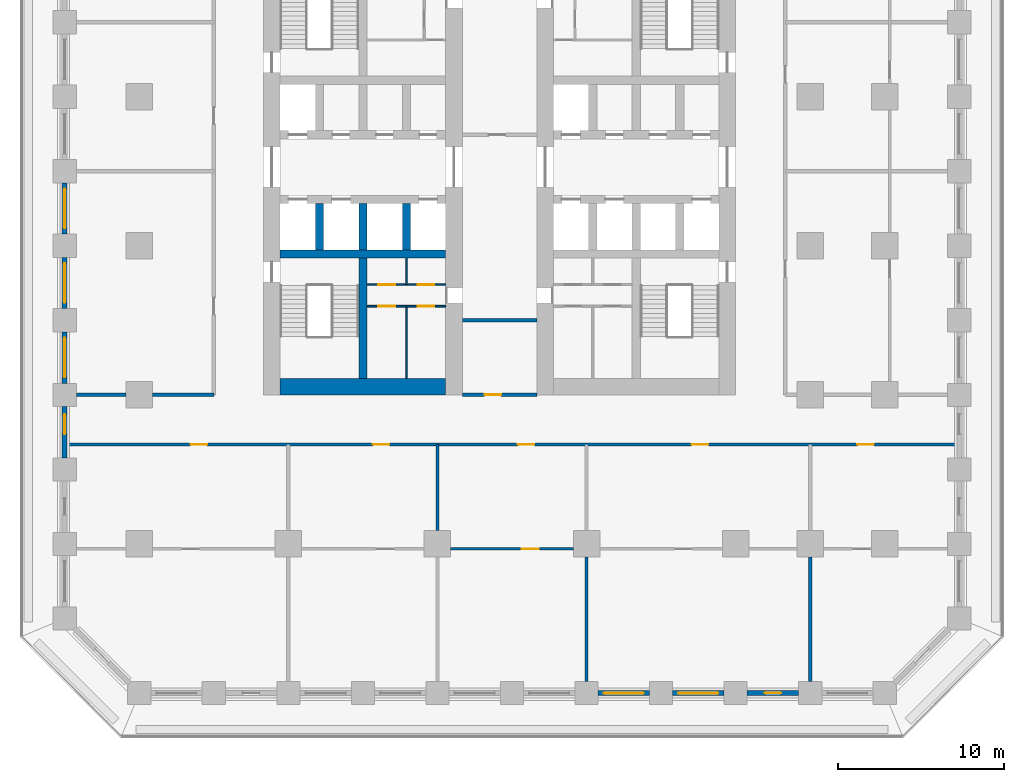
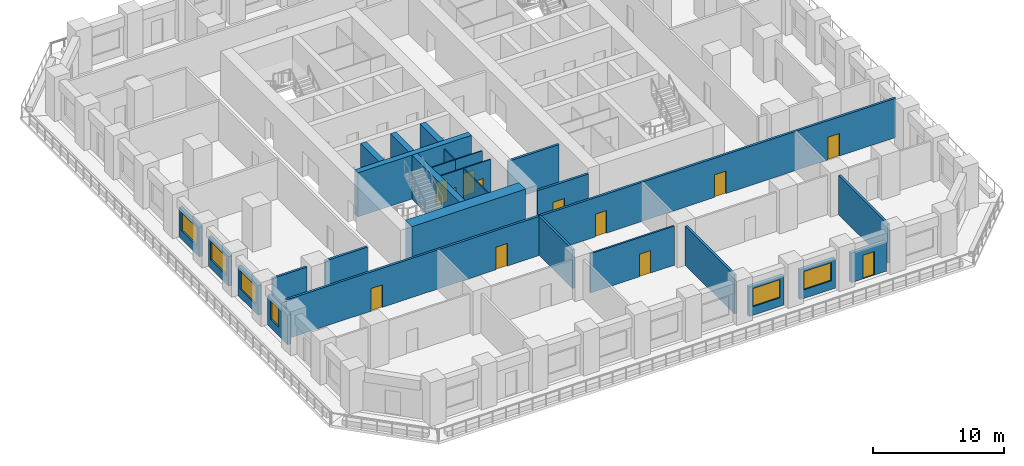
# One storey, part 3 of 11: 28 walls, 12 doors, 6 windows, 18 openings.
"""IFC4 building model written with IfcOpenShell, lengths in metres."""

from ifc_helpers import new_model, si_unit, direction, frame, frame_2d, origin, place, context, subcontext, project, spatial, rectangle, extrude, material, layer, layer_set, type_object, element, fill, save


model = new_model("IFC4")

# Units and contexts
model_context = context("Model", 3, precision=1e-05, world=origin(), true_north=direction((0.0, 1.0)))
body_context = subcontext(model_context, "Body", "Model", "MODEL_VIEW")
ifc_project = project(units=[si_unit("LENGTHUNIT", "METRE"), si_unit("AREAUNIT", "SQUARE_METRE"), si_unit("VOLUMEUNIT", "CUBIC_METRE"), si_unit("PLANEANGLEUNIT", "RADIAN"), si_unit("MASSUNIT", "GRAM", prefix="KILO")], contexts=[model_context])

# Site, building, storey
site_placement = place(None, origin())
site = spatial("IfcSite", under=ifc_project, at=site_placement, CompositionType="ELEMENT")
building_placement = place(site_placement, origin())
building = spatial("IfcBuilding", under=site, at=building_placement, Name="Corbel Stack Research Tower", CompositionType="ELEMENT")
storey_placement = place(building_placement, frame((0.0, 0.0, 62.39990234375)))
storey = spatial("IfcBuildingStorey", under=building, at=storey_placement, Name="L14", CompositionType="ELEMENT", Elevation=62.39990234375)

# Walls
ifc_material_1 = material(Name="Concrete C70/85", Category="concrete")
ifc_layer_1 = layer(ifc_material_1, 1.0)
ifc_layer_set_1 = layer_set([ifc_layer_1], Name="Concrete C70/85")
wall_type_1 = type_object("IfcWallType", Name="CW-1000-70", PredefinedType="SHEAR", material=ifc_layer_set_1)
wall_1_placement = place(storey_placement, frame((-9.5, -8.5, 0.0), z_axis=(0.0, 0.0, 1.0), x_axis=(1.0, 0.0, 0.0)))
element("IfcWall", 1, at=wall_1_placement, inside=storey, type_object=wall_type_1, Name="West core wall, south end L14", PredefinedType="SHEAR", context=body_context, shape_type="SweptSolid", body=[
    extrude(rectangle(XDim=10.0, YDim=1.0, at=frame_2d((5.0, 0.0))), origin(), (0.0, 0.0, 1.0), 4.10009765625),
])
ifc_material_2 = material(Name="Concrete C70/85", Category="concrete")
ifc_layer_2 = layer(ifc_material_2, 0.5)
ifc_layer_set_2 = layer_set([ifc_layer_2], Name="Concrete C70/85")
wall_type_2 = type_object("IfcWallType", Name="CW-500-70", PredefinedType="SHEAR", material=ifc_layer_set_2)
wall_2_placement = place(storey_placement, frame((-9.5, -0.5, 0.0), z_axis=(0.0, 0.0, 1.0), x_axis=(1.0, 0.0, 0.0)))
element("IfcWall", 2, at=wall_2_placement, inside=storey, type_object=wall_type_2, Name="West core wall, south row back L14", PredefinedType="SHEAR", context=body_context, shape_type="SweptSolid", body=[
    extrude(rectangle(XDim=10.0, YDim=0.5, at=frame_2d((5.0, 0.0))), origin(), (0.0, 0.0, 1.0), 4.10009765625),
])
for number, where, z_axis, x_axis, name in (
    (3, (-7.125, -0.25, 0.0), (0.0, 0.0, 1.0), (0.0, 1.0, 0.0), "West core wall, south shaft 1 L14"),
    (4, (-4.5, -0.25, 0.0), (0.0, 0.0, 1.0), (0.0, 1.0, 0.0), "West core wall, south shaft 2 L14"),
    (5, (-1.875, -0.25, 0.0), (0.0, 0.0, 1.0), (0.0, 1.0, 0.0), "West core wall, south shaft 3 L14"),
):
    element("IfcWall", number, at=place(storey_placement, frame(where, z_axis=z_axis, x_axis=x_axis)), inside=storey, type_object=wall_type_2, Name=name, PredefinedType="SHEAR", context=body_context, shape_type="SweptSolid", body=[
        extrude(rectangle(XDim=2.800048828125, YDim=0.5, at=frame_2d((1.39990234375, 0.0))), origin(), (0.0, 0.0, 1.0), 4.10009765625),
    ])
wall_3_placement = place(storey_placement, frame((-4.5, -8.0, 0.0), z_axis=(0.0, 0.0, 1.0), x_axis=(0.0, 1.0, 0.0)))
element("IfcWall", 6, at=wall_3_placement, inside=storey, type_object=wall_type_2, Name="West core wall, south stair and WC L14", PredefinedType="SHEAR", context=body_context, shape_type="SweptSolid", body=[
    extrude(rectangle(XDim=7.25, YDim=0.5, at=frame_2d((3.625, 0.0))), origin(), (0.0, 0.0, 1.0), 4.10009765625),
])

# Wall, opening, door
ifc_material_3 = material(Name="Gypsum board")
ifc_layer_3 = layer(ifc_material_3, 0.10009765625)
ifc_layer_set_3 = layer_set([ifc_layer_3], Name="Gypsum board")
wall_type_3 = type_object("IfcWallType", Name="Core partition 100", PredefinedType="PARTITIONING", material=ifc_layer_set_3)
wall_4_placement = place(storey_placement, frame((-1.875, -3.64990234375, 0.0), z_axis=(0.0, 0.0, 1.0), x_axis=(1.0, 0.0, 0.0)))
wall_4 = element("IfcWall", 7, at=wall_4_placement, inside=storey, type_object=wall_type_3, Name="Core partition W", PredefinedType="PARTITIONING", context=body_context, shape_type="SweptSolid", body=[
    extrude(rectangle(XDim=2.375, YDim=0.10009765625, at=frame_2d((1.1875, 0.0))), origin(), (0.0, 0.0, 1.0), 3.650146484375),
])
opening_1_placement = place(wall_4_placement, frame((0.6875, 0.0, 0.0)))
opening_1 = element("IfcOpeningElement", 8, at=opening_1_placement, cuts=wall_4, Name="Opening CR-W54-W2-1000", PredefinedType="OPENING", context=body_context, shape_type="SweptSolid", body=[
    extrude(rectangle(XDim=1.0, YDim=2.10009765625, at=frame_2d((0.5, 1.050048828125))), frame((0.0, 0.06005859375, 0.0), z_axis=(0.0, -1.0, 0.0), x_axis=(1.0, 0.0, 0.0)), (0.0, 0.0, 1.0), 0.1201171875),
])
ifc_material_4 = material(Name="Painted timber door", Category="wood")
door_type_1 = type_object("IfcDoorType", Name="WC door 1000 x 2100 right hand", OperationType="SINGLE_SWING_RIGHT", PredefinedType="DOOR", material=ifc_material_4)
door_1_placement = place(opening_1_placement, origin())
door_1 = element("IfcDoor", 9, at=door_1_placement, inside=storey, type_object=door_type_1, Name="Women's WC door W core", OperationType="SINGLE_SWING_RIGHT", OverallHeight=2.10009765625, OverallWidth=1.0, PredefinedType="DOOR", context=body_context, shape_type="SweptSolid", body=[
    extrude(rectangle(XDim=1.0, YDim=2.10009765625, at=frame_2d((0.5, 1.050048828125))), frame((0.0, 0.02490234375, 0.0), z_axis=(0.0, -1.0, 0.0), x_axis=(1.0, 0.0, 0.0)), (0.0, 0.0, 1.0), 0.050048828125),
])
fill(opening_1, door_1)

wall_5_placement = place(storey_placement, frame((-4.25, -3.64990234375, 0.0), z_axis=(0.0, 0.0, 1.0), x_axis=(1.0, 0.0, 0.0)))
wall_5 = element("IfcWall", 10, at=wall_5_placement, inside=storey, type_object=wall_type_3, Name="Core partition W", PredefinedType="PARTITIONING", context=body_context, shape_type="SweptSolid", body=[
    extrude(rectangle(XDim=2.375, YDim=0.10009765625, at=frame_2d((1.1875, 0.0))), origin(), (0.0, 0.0, 1.0), 3.650146484375),
])
opening_2_placement = place(wall_5_placement, frame((0.6875, 0.0, 0.0)))
opening_2 = element("IfcOpeningElement", 11, at=opening_2_placement, cuts=wall_5, Name="Opening CR-W54-W3-1000", PredefinedType="OPENING", context=body_context, shape_type="SweptSolid", body=[
    extrude(rectangle(XDim=1.0, YDim=2.10009765625, at=frame_2d((0.5, 1.050048828125))), frame((0.0, 0.06005859375, 0.0), z_axis=(0.0, -1.0, 0.0), x_axis=(1.0, 0.0, 0.0)), (0.0, 0.0, 1.0), 0.1201171875),
])
ifc_material_5 = material(Name="Painted timber door", Category="wood")
door_type_2 = type_object("IfcDoorType", Name="WC door 1000 x 2100 left hand", OperationType="SINGLE_SWING_LEFT", PredefinedType="DOOR", material=ifc_material_5)
door_2_placement = place(opening_2_placement, origin())
door_2 = element("IfcDoor", 12, at=door_2_placement, inside=storey, type_object=door_type_2, Name="Men's WC door W core", OperationType="SINGLE_SWING_LEFT", OverallHeight=2.10009765625, OverallWidth=1.0, PredefinedType="DOOR", context=body_context, shape_type="SweptSolid", body=[
    extrude(rectangle(XDim=1.0, YDim=2.10009765625, at=frame_2d((0.5, 1.050048828125))), frame((0.0, 0.02490234375, 0.0), z_axis=(0.0, -1.0, 0.0), x_axis=(1.0, 0.0, 0.0)), (0.0, 0.0, 1.0), 0.050048828125),
])
fill(opening_2, door_2)

wall_6_placement = place(storey_placement, frame((-1.875, -2.344970703125, 0.0), z_axis=(0.0, 0.0, 1.0), x_axis=(1.0, 0.0, 0.0)))
wall_6 = element("IfcWall", 13, at=wall_6_placement, inside=storey, type_object=wall_type_3, Name="Core partition W", PredefinedType="PARTITIONING", context=body_context, shape_type="SweptSolid", body=[
    extrude(rectangle(XDim=2.375, YDim=0.10009765625, at=frame_2d((1.1875, 0.0))), origin(), (0.0, 0.0, 1.0), 3.650146484375),
])
opening_3_placement = place(wall_6_placement, frame((0.6875, 0.0, 0.0)))
opening_3 = element("IfcOpeningElement", 14, at=opening_3_placement, cuts=wall_6, Name="Opening CR-W54-W4-1000", PredefinedType="OPENING", context=body_context, shape_type="SweptSolid", body=[
    extrude(rectangle(XDim=1.0, YDim=2.10009765625, at=frame_2d((0.5, 1.050048828125))), frame((0.0, 0.06005859375, 0.0), z_axis=(0.0, -1.0, 0.0), x_axis=(1.0, 0.0, 0.0)), (0.0, 0.0, 1.0), 0.1201171875),
])
door_3_placement = place(opening_3_placement, origin())
door_3 = element("IfcDoor", 15, at=door_3_placement, inside=storey, type_object=door_type_1, Name="Accessible WC door W core", OperationType="SINGLE_SWING_RIGHT", OverallHeight=2.10009765625, OverallWidth=1.0, PredefinedType="DOOR", context=body_context, shape_type="SweptSolid", body=[
    extrude(rectangle(XDim=1.0, YDim=2.10009765625, at=frame_2d((0.5, 1.050048828125))), frame((0.0, 0.02490234375, 0.0), z_axis=(0.0, -1.0, 0.0), x_axis=(1.0, 0.0, 0.0)), (0.0, 0.0, 1.0), 0.050048828125),
])
fill(opening_3, door_3)

wall_7_placement = place(storey_placement, frame((-4.25, -2.344970703125, 0.0), z_axis=(0.0, 0.0, 1.0), x_axis=(1.0, 0.0, 0.0)))
wall_7 = element("IfcWall", 16, at=wall_7_placement, inside=storey, type_object=wall_type_3, Name="Core partition W", PredefinedType="PARTITIONING", context=body_context, shape_type="SweptSolid", body=[
    extrude(rectangle(XDim=2.375, YDim=0.10009765625, at=frame_2d((1.1875, 0.0))), origin(), (0.0, 0.0, 1.0), 3.650146484375),
])
opening_4_placement = place(wall_7_placement, frame((0.6875, 0.0, 0.0)))
opening_4 = element("IfcOpeningElement", 17, at=opening_4_placement, cuts=wall_7, Name="Opening CR-W54-W5-1000", PredefinedType="OPENING", context=body_context, shape_type="SweptSolid", body=[
    extrude(rectangle(XDim=1.0, YDim=2.10009765625, at=frame_2d((0.5, 1.050048828125))), frame((0.0, 0.06005859375, 0.0), z_axis=(0.0, -1.0, 0.0), x_axis=(1.0, 0.0, 0.0)), (0.0, 0.0, 1.0), 0.1201171875),
])
door_4_placement = place(opening_4_placement, origin())
door_4 = element("IfcDoor", 18, at=door_4_placement, inside=storey, type_object=door_type_2, Name="Shower and changing room door W core", OperationType="SINGLE_SWING_LEFT", OverallHeight=2.10009765625, OverallWidth=1.0, PredefinedType="DOOR", context=body_context, shape_type="SweptSolid", body=[
    extrude(rectangle(XDim=1.0, YDim=2.10009765625, at=frame_2d((0.5, 1.050048828125))), frame((0.0, 0.02490234375, 0.0), z_axis=(0.0, -1.0, 0.0), x_axis=(1.0, 0.0, 0.0)), (0.0, 0.0, 1.0), 0.050048828125),
])
fill(opening_4, door_4)

# Walls
wall_8_placement = place(storey_placement, frame((-1.875, -8.0, 0.0), z_axis=(0.0, 0.0, 1.0), x_axis=(0.0, 1.0, 0.0)))
element("IfcWall", 19, at=wall_8_placement, inside=storey, type_object=wall_type_3, Name="Core partition W", PredefinedType="PARTITIONING", context=body_context, shape_type="SweptSolid", body=[
    extrude(rectangle(XDim=4.35009765625, YDim=0.10009765625, at=frame_2d((2.175048828125, 0.0))), origin(), (0.0, 0.0, 1.0), 3.650146484375),
])
wall_9_placement = place(storey_placement, frame((-1.875, -2.344970703125, 0.0), z_axis=(0.0, 0.0, 1.0), x_axis=(0.0, 1.0, 0.0)))
element("IfcWall", 20, at=wall_9_placement, inside=storey, type_object=wall_type_3, Name="Core partition W", PredefinedType="PARTITIONING", context=body_context, shape_type="SweptSolid", body=[
    extrude(rectangle(XDim=1.594970703125, YDim=0.10009765625, at=frame_2d((0.79736328125, 0.0))), origin(), (0.0, 0.0, 1.0), 3.650146484375),
])
ifc_material_6 = material(Name="Fire-rated gypsum board partition on steel studs", Category="steel")
ifc_layer_4 = layer(ifc_material_6, 0.199951171875)
ifc_layer_set_4 = layer_set([ifc_layer_4], Name="Fire-rated gypsum board partition on steel studs")
wall_type_4 = type_object("IfcWallType", Name="Fire-rated partition 200 EI 60", PredefinedType="PARTITIONING", material=ifc_layer_set_4)
wall_10_placement = place(storey_placement, frame((0.0, -17.199951171875, 0.0), z_axis=(0.0, 0.0, 1.0), x_axis=(0.0, 1.0, 0.0)))
element("IfcWall", 21, at=wall_10_placement, inside=storey, type_object=wall_type_4, Name="Partition L14-006", PredefinedType="PARTITIONING", context=body_context, shape_type="SweptSolid", body=[
    extrude(rectangle(XDim=5.199951171875, YDim=0.199951171875, at=frame_2d((2.60009765625, 0.0))), origin(), (0.0, 0.0, 1.0), 3.650146484375),
])
for number, where, z_axis, x_axis, name in (
    (22, (9.0, -26.300048828125, 0.0), (0.0, 0.0, 1.0), (0.0, 1.0, 0.0), "Partition L14-008"),
    (23, (22.5, -26.300048828125, 0.0), (0.0, 0.0, 1.0), (0.0, 1.0, 0.0), "Partition L14-012"),
):
    element("IfcWall", number, at=place(storey_placement, frame(where, z_axis=z_axis, x_axis=x_axis)), inside=storey, type_object=wall_type_4, Name=name, PredefinedType="PARTITIONING", context=body_context, shape_type="SweptSolid", body=[
        extrude(rectangle(XDim=7.5, YDim=0.199951171875, at=frame_2d((3.75, 0.0))), origin(), (0.0, 0.0, 1.0), 3.650146484375),
    ])

# Wall, openings, doors
wall_11_placement = place(storey_placement, frame((31.35009765625, -12.0, 0.0), z_axis=(0.0, 0.0, 1.0), x_axis=(-1.0, 0.0, 0.0)))
wall_11 = element("IfcWall", 24, at=wall_11_placement, inside=storey, type_object=wall_type_4, Name="Partition L14-026", PredefinedType="PARTITIONING", context=body_context, shape_type="SweptSolid", body=[
    extrude(rectangle(XDim=53.7001953125, YDim=0.199951171875, at=frame_2d((26.85009765625, 0.0))), origin(), (0.0, 0.0, 1.0), 3.650146484375),
])
opening_5_placement = place(wall_11_placement, frame((45.25, 0.0, 0.0)))
opening_5 = element("IfcOpeningElement", 25, at=opening_5_placement, cuts=wall_11, Name="Opening B2V2-008", PredefinedType="OPENING", context=body_context, shape_type="SweptSolid", body=[
    extrude(rectangle(XDim=1.0, YDim=2.10009765625, at=frame_2d((0.5, 1.050048828125))), frame((0.0, 0.10986328125, 0.0), z_axis=(0.0, -1.0, 0.0), x_axis=(1.0, 0.0, 0.0)), (0.0, 0.0, 1.0), 0.219970703125),
])
opening_6_placement = place(wall_11_placement, frame((34.25, 0.0, 0.0)))
opening_6 = element("IfcOpeningElement", 26, at=opening_6_placement, cuts=wall_11, Name="Opening B2V2-009", PredefinedType="OPENING", context=body_context, shape_type="SweptSolid", body=[
    extrude(rectangle(XDim=1.0, YDim=2.10009765625, at=frame_2d((0.5, 1.050048828125))), frame((0.0, 0.10986328125, 0.0), z_axis=(0.0, -1.0, 0.0), x_axis=(1.0, 0.0, 0.0)), (0.0, 0.0, 1.0), 0.219970703125),
])
opening_7_placement = place(wall_11_placement, frame((25.5, 0.0, 0.0)))
opening_7 = element("IfcOpeningElement", 27, at=opening_7_placement, cuts=wall_11, Name="Opening B2V2-010", PredefinedType="OPENING", context=body_context, shape_type="SweptSolid", body=[
    extrude(rectangle(XDim=1.0, YDim=2.10009765625, at=frame_2d((0.5, 1.050048828125))), frame((0.0, 0.10986328125, 0.0), z_axis=(0.0, -1.0, 0.0), x_axis=(1.0, 0.0, 0.0)), (0.0, 0.0, 1.0), 0.219970703125),
])
opening_8_placement = place(wall_11_placement, frame((15.0, 0.0, 0.0)))
opening_8 = element("IfcOpeningElement", 28, at=opening_8_placement, cuts=wall_11, Name="Opening B2V2-011", PredefinedType="OPENING", context=body_context, shape_type="SweptSolid", body=[
    extrude(rectangle(XDim=1.0, YDim=2.10009765625, at=frame_2d((0.5, 1.050048828125))), frame((0.0, 0.10986328125, 0.0), z_axis=(0.0, -1.0, 0.0), x_axis=(1.0, 0.0, 0.0)), (0.0, 0.0, 1.0), 0.219970703125),
])
opening_9_placement = place(wall_11_placement, frame((5.0, 0.0, 0.0)))
opening_9 = element("IfcOpeningElement", 29, at=opening_9_placement, cuts=wall_11, Name="Opening B2V2-012", PredefinedType="OPENING", context=body_context, shape_type="SweptSolid", body=[
    extrude(rectangle(XDim=1.0, YDim=2.10009765625, at=frame_2d((0.5, 1.050048828125))), frame((0.0, 0.10986328125, 0.0), z_axis=(0.0, -1.0, 0.0), x_axis=(1.0, 0.0, 0.0)), (0.0, 0.0, 1.0), 0.219970703125),
])
ifc_material_7 = material(Name="Painted steel fire door", Category="steel")
door_type_3 = type_object("IfcDoorType", Name="Fire door FD30S 1000 x 2100", OperationType="NOTDEFINED", PredefinedType="DOOR", material=ifc_material_7)
door_5_placement = place(opening_5_placement, origin())
door_5 = element("IfcDoor", 30, at=door_5_placement, inside=storey, type_object=door_type_3, Name="Door B2V2-008", OperationType="SINGLE_SWING_RIGHT", OverallHeight=2.10009765625, OverallWidth=1.0, PredefinedType="DOOR", context=body_context, shape_type="SweptSolid", body=[
    extrude(rectangle(XDim=1.0, YDim=2.10009765625, at=frame_2d((0.5, 1.050048828125))), frame((0.0, 0.02490234375, 0.0), z_axis=(0.0, -1.0, 0.0), x_axis=(1.0, 0.0, 0.0)), (0.0, 0.0, 1.0), 0.050048828125),
])
fill(opening_5, door_5)
door_6_placement = place(opening_6_placement, origin())
door_6 = element("IfcDoor", 31, at=door_6_placement, inside=storey, type_object=door_type_3, Name="Door B2V2-009", OperationType="SINGLE_SWING_RIGHT", OverallHeight=2.10009765625, OverallWidth=1.0, PredefinedType="DOOR", context=body_context, shape_type="SweptSolid", body=[
    extrude(rectangle(XDim=1.0, YDim=2.10009765625, at=frame_2d((0.5, 1.050048828125))), frame((0.0, 0.02490234375, 0.0), z_axis=(0.0, -1.0, 0.0), x_axis=(1.0, 0.0, 0.0)), (0.0, 0.0, 1.0), 0.050048828125),
])
fill(opening_6, door_6)
door_7_placement = place(opening_7_placement, origin())
door_7 = element("IfcDoor", 32, at=door_7_placement, inside=storey, type_object=door_type_3, Name="Door B2V2-010", OperationType="SINGLE_SWING_LEFT", OverallHeight=2.10009765625, OverallWidth=1.0, PredefinedType="DOOR", context=body_context, shape_type="SweptSolid", body=[
    extrude(rectangle(XDim=1.0, YDim=2.10009765625, at=frame_2d((0.5, 1.050048828125))), frame((0.0, 0.02490234375, 0.0), z_axis=(0.0, -1.0, 0.0), x_axis=(1.0, 0.0, 0.0)), (0.0, 0.0, 1.0), 0.050048828125),
])
fill(opening_7, door_7)
door_8_placement = place(opening_8_placement, origin())
door_8 = element("IfcDoor", 33, at=door_8_placement, inside=storey, type_object=door_type_3, Name="Door B2V2-011", OperationType="SINGLE_SWING_LEFT", OverallHeight=2.10009765625, OverallWidth=1.0, PredefinedType="DOOR", context=body_context, shape_type="SweptSolid", body=[
    extrude(rectangle(XDim=1.0, YDim=2.10009765625, at=frame_2d((0.5, 1.050048828125))), frame((0.0, 0.02490234375, 0.0), z_axis=(0.0, -1.0, 0.0), x_axis=(1.0, 0.0, 0.0)), (0.0, 0.0, 1.0), 0.050048828125),
])
fill(opening_8, door_8)
door_9_placement = place(opening_9_placement, origin())
door_9 = element("IfcDoor", 34, at=door_9_placement, inside=storey, type_object=door_type_3, Name="Door B2V2-012", OperationType="SINGLE_SWING_LEFT", OverallHeight=2.10009765625, OverallWidth=1.0, PredefinedType="DOOR", context=body_context, shape_type="SweptSolid", body=[
    extrude(rectangle(XDim=1.0, YDim=2.10009765625, at=frame_2d((0.5, 1.050048828125))), frame((0.0, 0.02490234375, 0.0), z_axis=(0.0, -1.0, 0.0), x_axis=(1.0, 0.0, 0.0)), (0.0, 0.0, 1.0), 0.050048828125),
])
fill(opening_9, door_9)

# Walls
wall_12_placement = place(storey_placement, frame((-21.800048828125, -9.0, 0.0), z_axis=(0.0, 0.0, 1.0), x_axis=(1.0, 0.0, 0.0)))
element("IfcWall", 35, at=wall_12_placement, inside=storey, type_object=wall_type_4, Name="Partition L14-027", PredefinedType="PARTITIONING", context=body_context, shape_type="SweptSolid", body=[
    extrude(rectangle(XDim=3.0, YDim=0.199951171875, at=frame_2d((1.5, 0.0))), origin(), (0.0, 0.0, 1.0), 3.650146484375),
])
wall_13_placement = place(storey_placement, frame((-17.199951171875, -9.0, 0.0), z_axis=(0.0, 0.0, 1.0), x_axis=(1.0, 0.0, 0.0)))
element("IfcWall", 36, at=wall_13_placement, inside=storey, type_object=wall_type_4, Name="Partition L14-028", PredefinedType="PARTITIONING", context=body_context, shape_type="SweptSolid", body=[
    extrude(rectangle(XDim=3.699951171875, YDim=0.199951171875, at=frame_2d((1.85009765625, 0.0))), origin(), (0.0, 0.0, 1.0), 3.650146484375),
])

# Wall, opening, door
wall_14_placement = place(storey_placement, frame((1.5, -9.0, 0.0), z_axis=(0.0, 0.0, 1.0), x_axis=(1.0, 0.0, 0.0)))
wall_14 = element("IfcWall", 37, at=wall_14_placement, inside=storey, type_object=wall_type_4, Name="Partition L14-029", PredefinedType="PARTITIONING", context=body_context, shape_type="SweptSolid", body=[
    extrude(rectangle(XDim=4.5, YDim=0.199951171875, at=frame_2d((2.25, 0.0))), origin(), (0.0, 0.0, 1.0), 3.650146484375),
])
opening_10_placement = place(wall_14_placement, frame((1.35009765625, 0.0, 0.0)))
opening_10 = element("IfcOpeningElement", 38, at=opening_10_placement, cuts=wall_14, Name="Opening B2V2-013", PredefinedType="OPENING", context=body_context, shape_type="SweptSolid", body=[
    extrude(rectangle(XDim=1.0, YDim=2.10009765625, at=frame_2d((0.5, 1.050048828125))), frame((0.0, 0.10986328125, 0.0), z_axis=(0.0, -1.0, 0.0), x_axis=(1.0, 0.0, 0.0)), (0.0, 0.0, 1.0), 0.219970703125),
])
door_10_placement = place(opening_10_placement, origin())
door_10 = element("IfcDoor", 39, at=door_10_placement, inside=storey, type_object=door_type_3, Name="Door B2V2-013", OperationType="SINGLE_SWING_LEFT", OverallHeight=2.10009765625, OverallWidth=1.0, PredefinedType="DOOR", context=body_context, shape_type="SweptSolid", body=[
    extrude(rectangle(XDim=1.0, YDim=2.10009765625, at=frame_2d((0.5, 1.050048828125))), frame((0.0, 0.02490234375, 0.0), z_axis=(0.0, -1.0, 0.0), x_axis=(1.0, 0.0, 0.0)), (0.0, 0.0, 1.0), 0.050048828125),
])
fill(opening_10, door_10)

# Wall
wall_15_placement = place(storey_placement, frame((1.5, -4.5, 0.0), z_axis=(0.0, 0.0, 1.0), x_axis=(1.0, 0.0, 0.0)))
element("IfcWall", 40, at=wall_15_placement, inside=storey, type_object=wall_type_4, Name="Partition L14-033", PredefinedType="PARTITIONING", context=body_context, shape_type="SweptSolid", body=[
    extrude(rectangle(XDim=4.5, YDim=0.199951171875, at=frame_2d((2.25, 0.0))), origin(), (0.0, 0.0, 1.0), 3.650146484375),
])

# Wall, opening, door
ifc_material_8 = material(Name="Gypsum board partition on steel studs", Category="steel")
ifc_layer_5 = layer(ifc_material_8, 0.14990234375)
ifc_layer_set_5 = layer_set([ifc_layer_5], Name="Gypsum board partition on steel studs")
wall_type_5 = type_object("IfcWallType", Name="Partition 150", PredefinedType="PARTITIONING", material=ifc_layer_set_5)
wall_16_placement = place(storey_placement, frame((8.199951171875, -18.300048828125, 0.0), z_axis=(0.0, 0.0, 1.0), x_axis=(-1.0, 0.0, 0.0)))
wall_16 = element("IfcWall", 41, at=wall_16_placement, inside=storey, type_object=wall_type_5, Name="Partition L14-021", PredefinedType="PARTITIONING", context=body_context, shape_type="SweptSolid", body=[
    extrude(rectangle(XDim=7.39990234375, YDim=0.14990234375, at=frame_2d((3.699951171875, 0.0))), origin(), (0.0, 0.0, 1.0), 3.650146484375),
])
opening_11_placement = place(wall_16_placement, frame((2.10009765625, 0.0, 0.0)))
opening_11 = element("IfcOpeningElement", 42, at=opening_11_placement, cuts=wall_16, Name="Opening B2V2-003", PredefinedType="OPENING", context=body_context, shape_type="SweptSolid", body=[
    extrude(rectangle(XDim=1.0, YDim=2.10009765625, at=frame_2d((0.5, 1.050048828125))), frame((0.0, 0.0849609375, 0.0), z_axis=(0.0, -1.0, 0.0), x_axis=(1.0, 0.0, 0.0)), (0.0, 0.0, 1.0), 0.169921875),
])
ifc_material_9 = material(Name="Painted timber door", Category="wood")
door_type_4 = type_object("IfcDoorType", Name="Single door 1000 x 2100", OperationType="NOTDEFINED", PredefinedType="DOOR", material=ifc_material_9)
door_11_placement = place(opening_11_placement, origin())
door_11 = element("IfcDoor", 43, at=door_11_placement, inside=storey, type_object=door_type_4, Name="Door B2V2-003", OperationType="SINGLE_SWING_LEFT", OverallHeight=2.10009765625, OverallWidth=1.0, PredefinedType="DOOR", context=body_context, shape_type="SweptSolid", body=[
    extrude(rectangle(XDim=1.0, YDim=2.10009765625, at=frame_2d((0.5, 1.050048828125))), frame((0.0, 0.02490234375, 0.0), z_axis=(0.0, -1.0, 0.0), x_axis=(1.0, 0.0, 0.0)), (0.0, 0.0, 1.0), 0.050048828125),
])
fill(opening_11, door_11)

# Wall, opening, window
ifc_material_10 = material(Name="Concrete C45/55", Category="concrete")
ifc_layer_6 = layer(ifc_material_10, 0.300048828125)
ifc_layer_set_6 = layer_set([ifc_layer_6], Name="Concrete C45/55")
wall_type_6 = type_object("IfcWallType", Name="Terracotta-faced concrete wall 300", PredefinedType="SOLIDWALL", material=ifc_layer_set_6)
wall_17_placement = place(storey_placement, frame((12.800048828125, -27.0, 0.0), z_axis=(0.0, 0.0, 1.0), x_axis=(-1.0, 0.0, 0.0)))
wall_17 = element("IfcWall", 44, at=wall_17_placement, inside=storey, type_object=wall_type_6, Name="Facade wall L14 S07", PredefinedType="SOLIDWALL", context=body_context, shape_type="SweptSolid", body=[
    extrude(rectangle(XDim=3.10009765625, YDim=0.300048828125, at=frame_2d((1.550048828125, 0.0))), origin(), (0.0, 0.0, 1.0), 2.75),
])
opening_12_placement = place(wall_17_placement, frame((0.35009765625, 0.0, 0.800048828125)))
opening_12 = element("IfcOpeningElement", 45, at=opening_12_placement, cuts=wall_17, Name="Opening W1", PredefinedType="OPENING", context=body_context, shape_type="SweptSolid", body=[
    extrude(rectangle(XDim=2.39990234375, YDim=1.699951171875, at=frame_2d((1.199951171875, 0.85009765625))), frame((0.0, 0.159912109375, 0.0), z_axis=(0.0, -1.0, 0.0), x_axis=(1.0, 0.0, 0.0)), (0.0, 0.0, 1.0), 0.320068359375),
])
ifc_material_11 = material(Name="Aluminium frame, clear double glazing", Category="aluminium")
window_type_1 = type_object("IfcWindowType", Name="Window W1 2400 x 1700", PartitioningType="SINGLE_PANEL", PredefinedType="WINDOW", material=ifc_material_11)
window_1_placement = place(opening_12_placement, origin())
window_1 = element("IfcWindow", 46, at=window_1_placement, inside=storey, type_object=window_type_1, Name="Window W1 L14 S07", OverallHeight=1.699951171875, OverallWidth=2.39990234375, PartitioningType="SINGLE_PANEL", PredefinedType="WINDOW", context=body_context, shape_type="SweptSolid", body=[
    extrude(rectangle(XDim=2.39990234375, YDim=1.699951171875, at=frame_2d((1.199951171875, 0.85009765625))), frame((0.0, 0.030029296875, 0.0), z_axis=(0.0, -1.0, 0.0), x_axis=(1.0, 0.0, 0.0)), (0.0, 0.0, 1.0), 0.06005859375),
])
fill(opening_12, window_1)

wall_18_placement = place(storey_placement, frame((17.300048828125, -27.0, 0.0), z_axis=(0.0, 0.0, 1.0), x_axis=(-1.0, 0.0, 0.0)))
wall_18 = element("IfcWall", 47, at=wall_18_placement, inside=storey, type_object=wall_type_6, Name="Facade wall L14 S08", PredefinedType="SOLIDWALL", context=body_context, shape_type="SweptSolid", body=[
    extrude(rectangle(XDim=3.10009765625, YDim=0.300048828125, at=frame_2d((1.550048828125, 0.0))), origin(), (0.0, 0.0, 1.0), 2.75),
])
opening_13_placement = place(wall_18_placement, frame((0.35009765625, 0.0, 0.800048828125)))
opening_13 = element("IfcOpeningElement", 48, at=opening_13_placement, cuts=wall_18, Name="Opening W1", PredefinedType="OPENING", context=body_context, shape_type="SweptSolid", body=[
    extrude(rectangle(XDim=2.39990234375, YDim=1.699951171875, at=frame_2d((1.199951171875, 0.85009765625))), frame((0.0, 0.159912109375, 0.0), z_axis=(0.0, -1.0, 0.0), x_axis=(1.0, 0.0, 0.0)), (0.0, 0.0, 1.0), 0.320068359375),
])
window_2_placement = place(opening_13_placement, origin())
window_2 = element("IfcWindow", 49, at=window_2_placement, inside=storey, type_object=window_type_1, Name="Window W1 L14 S08", OverallHeight=1.699951171875, OverallWidth=2.39990234375, PartitioningType="SINGLE_PANEL", PredefinedType="WINDOW", context=body_context, shape_type="SweptSolid", body=[
    extrude(rectangle(XDim=2.39990234375, YDim=1.699951171875, at=frame_2d((1.199951171875, 0.85009765625))), frame((0.0, 0.030029296875, 0.0), z_axis=(0.0, -1.0, 0.0), x_axis=(1.0, 0.0, 0.0)), (0.0, 0.0, 1.0), 0.06005859375),
])
fill(opening_13, window_2)

# Wall, opening, door
wall_19_placement = place(storey_placement, frame((21.800048828125, -27.0, 0.0), z_axis=(0.0, 0.0, 1.0), x_axis=(-1.0, 0.0, 0.0)))
wall_19 = element("IfcWall", 50, at=wall_19_placement, inside=storey, type_object=wall_type_6, Name="Facade wall L14 S09", PredefinedType="SOLIDWALL", context=body_context, shape_type="SweptSolid", body=[
    extrude(rectangle(XDim=3.10009765625, YDim=0.300048828125, at=frame_2d((1.550048828125, 0.0))), origin(), (0.0, 0.0, 1.0), 2.75),
])
opening_14_placement = place(wall_19_placement, frame((1.050048828125, 0.0, 0.0)))
opening_14 = element("IfcOpeningElement", 51, at=opening_14_placement, cuts=wall_19, Name="Opening L14-B02", PredefinedType="OPENING", context=body_context, shape_type="SweptSolid", body=[
    extrude(rectangle(XDim=1.0, YDim=2.199951171875, at=frame_2d((0.5, 1.10009765625))), frame((0.0, 0.159912109375, 0.0), z_axis=(0.0, -1.0, 0.0), x_axis=(1.0, 0.0, 0.0)), (0.0, 0.0, 1.0), 0.320068359375),
])
ifc_material_12 = material(Name="Aluminium frame, clear double glazing", Category="aluminium")
door_type_5 = type_object("IfcDoorType", Name="Balcony door BD1 1000 x 2200", OperationType="NOTDEFINED", PredefinedType="DOOR", material=ifc_material_12)
door_12_placement = place(opening_14_placement, origin())
door_12 = element("IfcDoor", 52, at=door_12_placement, inside=storey, type_object=door_type_5, Name="Balcony door L14-B02", OperationType="SINGLE_SWING_LEFT", OverallHeight=2.199951171875, OverallWidth=1.0, PredefinedType="DOOR", context=body_context, shape_type="SweptSolid", body=[
    extrude(rectangle(XDim=1.0, YDim=2.199951171875, at=frame_2d((0.5, 1.10009765625))), frame((0.0, 0.02490234375, 0.0), z_axis=(0.0, -1.0, 0.0), x_axis=(1.0, 0.0, 0.0)), (0.0, 0.0, 1.0), 0.050048828125),
])
fill(opening_14, door_12)

# Wall, opening, window
wall_20_placement = place(storey_placement, frame((-22.5, 0.699951171875, 0.0), z_axis=(0.0, 0.0, 1.0), x_axis=(0.0, 1.0, 0.0)))
wall_20 = element("IfcWall", 53, at=wall_20_placement, inside=storey, type_object=wall_type_6, Name="Facade wall L14 W05", PredefinedType="SOLIDWALL", context=body_context, shape_type="SweptSolid", body=[
    extrude(rectangle(XDim=3.10009765625, YDim=0.300048828125, at=frame_2d((1.550048828125, 0.0))), origin(), (0.0, 0.0, 1.0), 2.75),
])
opening_15_placement = place(wall_20_placement, frame((0.35009765625, 0.0, 0.800048828125)))
opening_15 = element("IfcOpeningElement", 54, at=opening_15_placement, cuts=wall_20, Name="Opening W1", PredefinedType="OPENING", context=body_context, shape_type="SweptSolid", body=[
    extrude(rectangle(XDim=2.39990234375, YDim=1.699951171875, at=frame_2d((1.199951171875, 0.85009765625))), frame((0.0, 0.159912109375, 0.0), z_axis=(0.0, -1.0, 0.0), x_axis=(1.0, 0.0, 0.0)), (0.0, 0.0, 1.0), 0.320068359375),
])
window_3_placement = place(opening_15_placement, origin())
window_3 = element("IfcWindow", 55, at=window_3_placement, inside=storey, type_object=window_type_1, Name="Window W1 L14 W05", OverallHeight=1.699951171875, OverallWidth=2.39990234375, PartitioningType="SINGLE_PANEL", PredefinedType="WINDOW", context=body_context, shape_type="SweptSolid", body=[
    extrude(rectangle(XDim=2.39990234375, YDim=1.699951171875, at=frame_2d((1.199951171875, 0.85009765625))), frame((0.0, 0.030029296875, 0.0), z_axis=(0.0, -1.0, 0.0), x_axis=(1.0, 0.0, 0.0)), (0.0, 0.0, 1.0), 0.06005859375),
])
fill(opening_15, window_3)

wall_21_placement = place(storey_placement, frame((-22.5, -3.800048828125, 0.0), z_axis=(0.0, 0.0, 1.0), x_axis=(0.0, 1.0, 0.0)))
wall_21 = element("IfcWall", 56, at=wall_21_placement, inside=storey, type_object=wall_type_6, Name="Facade wall L14 W06", PredefinedType="SOLIDWALL", context=body_context, shape_type="SweptSolid", body=[
    extrude(rectangle(XDim=3.10009765625, YDim=0.300048828125, at=frame_2d((1.550048828125, 0.0))), origin(), (0.0, 0.0, 1.0), 2.75),
])
opening_16_placement = place(wall_21_placement, frame((0.35009765625, 0.0, 0.800048828125)))
opening_16 = element("IfcOpeningElement", 57, at=opening_16_placement, cuts=wall_21, Name="Opening W1", PredefinedType="OPENING", context=body_context, shape_type="SweptSolid", body=[
    extrude(rectangle(XDim=2.39990234375, YDim=1.699951171875, at=frame_2d((1.199951171875, 0.85009765625))), frame((0.0, 0.159912109375, 0.0), z_axis=(0.0, -1.0, 0.0), x_axis=(1.0, 0.0, 0.0)), (0.0, 0.0, 1.0), 0.320068359375),
])
window_4_placement = place(opening_16_placement, origin())
window_4 = element("IfcWindow", 58, at=window_4_placement, inside=storey, type_object=window_type_1, Name="Window W1 L14 W06", OverallHeight=1.699951171875, OverallWidth=2.39990234375, PartitioningType="SINGLE_PANEL", PredefinedType="WINDOW", context=body_context, shape_type="SweptSolid", body=[
    extrude(rectangle(XDim=2.39990234375, YDim=1.699951171875, at=frame_2d((1.199951171875, 0.85009765625))), frame((0.0, 0.030029296875, 0.0), z_axis=(0.0, -1.0, 0.0), x_axis=(1.0, 0.0, 0.0)), (0.0, 0.0, 1.0), 0.06005859375),
])
fill(opening_16, window_4)

wall_22_placement = place(storey_placement, frame((-22.5, -8.300048828125, 0.0), z_axis=(0.0, 0.0, 1.0), x_axis=(0.0, 1.0, 0.0)))
wall_22 = element("IfcWall", 59, at=wall_22_placement, inside=storey, type_object=wall_type_6, Name="Facade wall L14 W07", PredefinedType="SOLIDWALL", context=body_context, shape_type="SweptSolid", body=[
    extrude(rectangle(XDim=3.10009765625, YDim=0.300048828125, at=frame_2d((1.550048828125, 0.0))), origin(), (0.0, 0.0, 1.0), 2.75),
])
opening_17_placement = place(wall_22_placement, frame((0.35009765625, 0.0, 0.800048828125)))
opening_17 = element("IfcOpeningElement", 60, at=opening_17_placement, cuts=wall_22, Name="Opening W1", PredefinedType="OPENING", context=body_context, shape_type="SweptSolid", body=[
    extrude(rectangle(XDim=2.39990234375, YDim=1.699951171875, at=frame_2d((1.199951171875, 0.85009765625))), frame((0.0, 0.159912109375, 0.0), z_axis=(0.0, -1.0, 0.0), x_axis=(1.0, 0.0, 0.0)), (0.0, 0.0, 1.0), 0.320068359375),
])
window_5_placement = place(opening_17_placement, origin())
window_5 = element("IfcWindow", 61, at=window_5_placement, inside=storey, type_object=window_type_1, Name="Window W1 L14 W07", OverallHeight=1.699951171875, OverallWidth=2.39990234375, PartitioningType="SINGLE_PANEL", PredefinedType="WINDOW", context=body_context, shape_type="SweptSolid", body=[
    extrude(rectangle(XDim=2.39990234375, YDim=1.699951171875, at=frame_2d((1.199951171875, 0.85009765625))), frame((0.0, 0.030029296875, 0.0), z_axis=(0.0, -1.0, 0.0), x_axis=(1.0, 0.0, 0.0)), (0.0, 0.0, 1.0), 0.06005859375),
])
fill(opening_17, window_5)

wall_23_placement = place(storey_placement, frame((-22.5, -12.800048828125, 0.0), z_axis=(0.0, 0.0, 1.0), x_axis=(0.0, 1.0, 0.0)))
wall_23 = element("IfcWall", 62, at=wall_23_placement, inside=storey, type_object=wall_type_6, Name="Facade wall L14 W08", PredefinedType="SOLIDWALL", context=body_context, shape_type="SweptSolid", body=[
    extrude(rectangle(XDim=3.10009765625, YDim=0.300048828125, at=frame_2d((1.550048828125, 0.0))), origin(), (0.0, 0.0, 1.0), 2.75),
])
opening_18_placement = place(wall_23_placement, frame((1.425048828125, 0.0, 0.800048828125)))
opening_18 = element("IfcOpeningElement", 63, at=opening_18_placement, cuts=wall_23, Name="Opening W2", PredefinedType="OPENING", context=body_context, shape_type="SweptSolid", body=[
    extrude(rectangle(XDim=1.199951171875, YDim=1.699951171875, at=frame_2d((0.60009765625, 0.85009765625))), frame((0.0, 0.159912109375, 0.0), z_axis=(0.0, -1.0, 0.0), x_axis=(1.0, 0.0, 0.0)), (0.0, 0.0, 1.0), 0.320068359375),
])
ifc_material_13 = material(Name="Aluminium frame, clear double glazing", Category="aluminium")
window_type_2 = type_object("IfcWindowType", Name="Window W2 1200 x 1700", PartitioningType="SINGLE_PANEL", PredefinedType="WINDOW", material=ifc_material_13)
window_6_placement = place(opening_18_placement, origin())
window_6 = element("IfcWindow", 64, at=window_6_placement, inside=storey, type_object=window_type_2, Name="Window W2 L14 W08", OverallHeight=1.699951171875, OverallWidth=1.199951171875, PartitioningType="SINGLE_PANEL", PredefinedType="WINDOW", context=body_context, shape_type="SweptSolid", body=[
    extrude(rectangle(XDim=1.199951171875, YDim=1.699951171875, at=frame_2d((0.60009765625, 0.85009765625))), frame((0.0, 0.030029296875, 0.0), z_axis=(0.0, -1.0, 0.0), x_axis=(1.0, 0.0, 0.0)), (0.0, 0.0, 1.0), 0.06005859375),
])
fill(opening_18, window_6)

save(model, "model.ifc")
